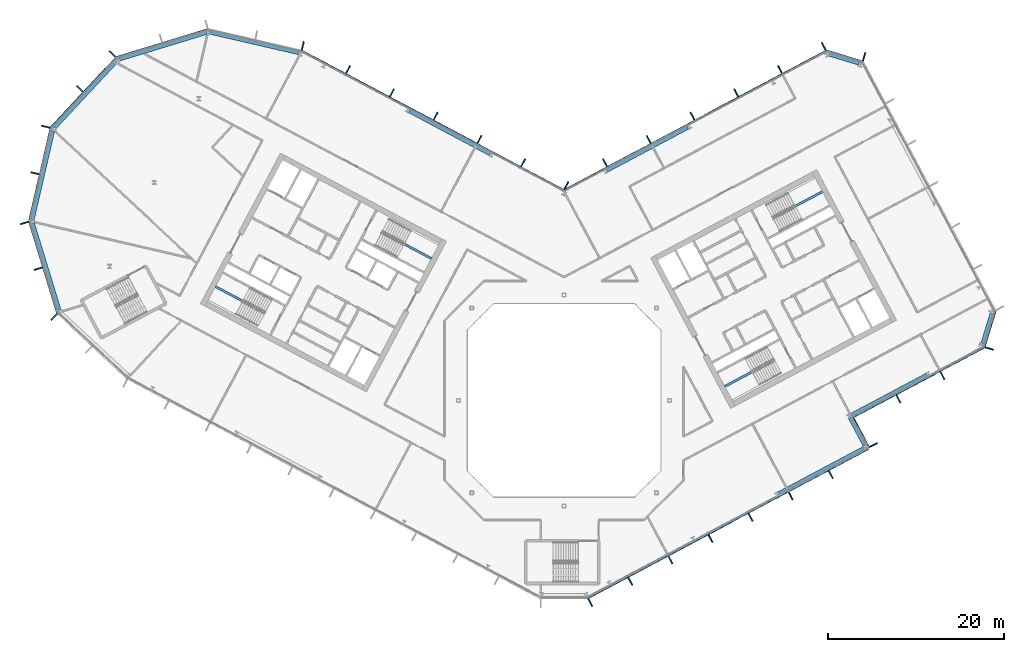
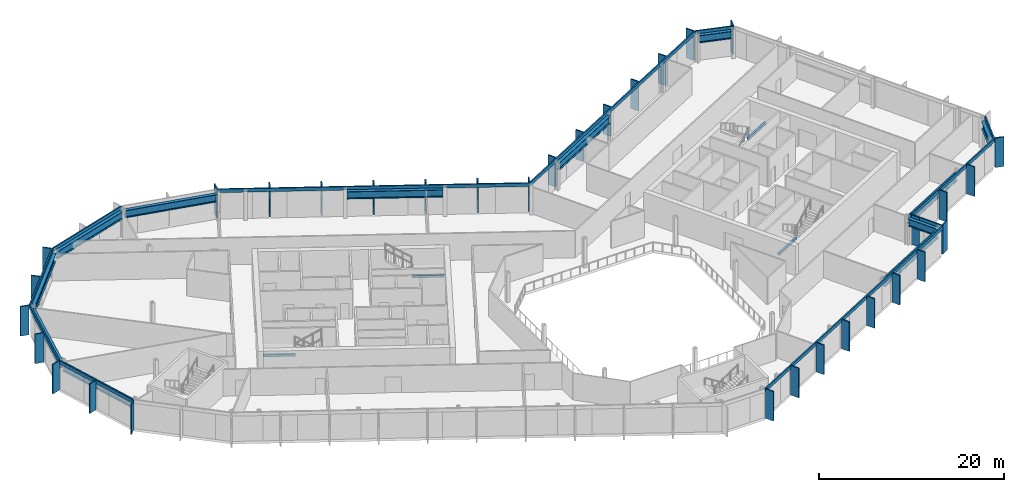
# One storey, part 9 of 27: 44 members, 16 beams, 13 elements without a shape of their own.
"""IFC4 building model written with IfcOpenShell, lengths in metres."""

from ifc_helpers import new_model, si_unit, direction, frame, origin, origin_2d, place, context, subcontext, project, spatial, rectangle, i_section, extrude, material, layer, layer_set, material_profile, profile_set, type_object, element, aggregate, save


model = new_model("IFC4")

# Units and contexts
model_context = context("Model", 3, precision=1e-05, world=origin(), true_north=direction((0.0, 1.0)))
body_context = subcontext(model_context, "Body", "Model", "MODEL_VIEW")
ifc_project = project(units=[si_unit("LENGTHUNIT", "METRE"), si_unit("AREAUNIT", "SQUARE_METRE"), si_unit("VOLUMEUNIT", "CUBIC_METRE"), si_unit("PLANEANGLEUNIT", "RADIAN"), si_unit("MASSUNIT", "GRAM", prefix="KILO")], contexts=[model_context])

# Site, building, storey
site_placement = place(None, origin())
site = spatial("IfcSite", under=ifc_project, at=site_placement, CompositionType="ELEMENT")
building_placement = place(site_placement, origin())
building = spatial("IfcBuilding", under=site, at=building_placement, Name="Cormorant Relay Tower", CompositionType="ELEMENT")
storey_placement = place(building_placement, frame((0.0, 0.0, 240.300048828125)))
storey = spatial("IfcBuildingStorey", under=building, at=storey_placement, Name="L53", CompositionType="ELEMENT", Elevation=240.300048828125)

# Curtain wall, members
ifc_material_1 = material(Name="Aluminium 6063-T6 anodised bronze", Category="aluminium")
ifc_layer = layer(ifc_material_1, 0.199951171875)
ifc_layer_set = layer_set([ifc_layer], Name="CW1 unitised bronze curtain wall with vertical fins")
curtain_wall_type = type_object("IfcCurtainWallType", Name="CW1 unitised bronze curtain wall with vertical fins", PredefinedType="NOTDEFINED", material=ifc_layer_set)
curtain_wall_1_placement = place(storey_placement, origin())
curtain_wall_1 = element("IfcCurtainWall", 1, at=curtain_wall_1_placement, inside=storey, type_object=curtain_wall_type, Name="CW1 curtain wall 2", PredefinedType="NOTDEFINED")
ifc_material_2 = material(Name="Aluminium 6063-T6 anodised bronze", Category="aluminium")
ifc_material_profile_1 = material_profile(ifc_material_2, rectangle(XDim=0.14990234375, YDim=1.0, at=origin_2d()), Name="AL 150x1000")
ifc_profile_set_1 = profile_set([ifc_material_profile_1], Name="Aluminium 6063-T6 anodised bronze")
member_type_1 = type_object("IfcMemberType", Name="CW1 bronze fin mullion 150 x 1000", PredefinedType="MULLION", material=ifc_profile_set_1)
member_1_placement = place(storey_placement, frame((2.9775390625, -22.99365234375, 0.0), z_axis=(0.0, 0.0, 1.0), x_axis=(0.882947592859, 0.469471562786, 0.0)))
member_1 = element("IfcMember", 2, at=member_1_placement, type_object=member_type_1, Name="CW1 fin 2.1", PredefinedType="MULLION", context=body_context, shape_type="SweptSolid", body=[
    extrude(rectangle(XDim=0.14990234375, YDim=1.0, at=origin_2d()), origin(), (0.0, 0.0, 1.0), 3.89990234375),
])
member_2_placement = place(storey_placement, frame((7.539306640625, -20.568115234375, 0.0), z_axis=(0.0, 0.0, 1.0), x_axis=(0.882947592859, 0.469471562786, 0.0)))
member_2 = element("IfcMember", 3, at=member_2_placement, type_object=member_type_1, Name="CW1 fin 2.2", PredefinedType="MULLION", context=body_context, shape_type="SweptSolid", body=[
    extrude(rectangle(XDim=0.14990234375, YDim=1.0, at=origin_2d()), origin(), (0.0, 0.0, 1.0), 3.89990234375),
])
member_3_placement = place(storey_placement, frame((12.10107421875, -18.142578125, 0.0), z_axis=(0.0, 0.0, 1.0), x_axis=(0.882947592859, 0.469471562786, 0.0)))
member_3 = element("IfcMember", 4, at=member_3_placement, type_object=member_type_1, Name="CW1 fin 2.3", PredefinedType="MULLION", context=body_context, shape_type="SweptSolid", body=[
    extrude(rectangle(XDim=0.14990234375, YDim=1.0, at=origin_2d()), origin(), (0.0, 0.0, 1.0), 3.89990234375),
])
member_4_placement = place(storey_placement, frame((16.662841796875, -15.717041015625, 0.0), z_axis=(0.0, 0.0, 1.0), x_axis=(0.882947592859, 0.469471562786, 0.0)))
member_4 = element("IfcMember", 5, at=member_4_placement, type_object=member_type_1, Name="CW1 fin 2.4", PredefinedType="MULLION", context=body_context, shape_type="SweptSolid", body=[
    extrude(rectangle(XDim=0.14990234375, YDim=1.0, at=origin_2d()), origin(), (0.0, 0.0, 1.0), 3.89990234375),
])
member_5_placement = place(storey_placement, frame((21.224609375, -13.29150390625, 0.0), z_axis=(0.0, 0.0, 1.0), x_axis=(0.882947592859, 0.469471562786, 0.0)))
member_5 = element("IfcMember", 6, at=member_5_placement, type_object=member_type_1, Name="CW1 fin 2.5", PredefinedType="MULLION", context=body_context, shape_type="SweptSolid", body=[
    extrude(rectangle(XDim=0.14990234375, YDim=1.0, at=origin_2d()), origin(), (0.0, 0.0, 1.0), 3.89990234375),
])
member_6_placement = place(storey_placement, frame((25.78662109375, -10.865966796875, 0.0), z_axis=(0.0, 0.0, 1.0), x_axis=(0.882947592859, 0.469471562786, 0.0)))
member_6 = element("IfcMember", 7, at=member_6_placement, type_object=member_type_1, Name="CW1 fin 2.6", PredefinedType="MULLION", context=body_context, shape_type="SweptSolid", body=[
    extrude(rectangle(XDim=0.14990234375, YDim=1.0, at=origin_2d()), origin(), (0.0, 0.0, 1.0), 3.89990234375),
])
member_7_placement = place(storey_placement, frame((30.348388671875, -8.440185546875, 0.0), z_axis=(0.0, 0.0, 1.0), x_axis=(0.882947592859, 0.469471562786, 0.0)))
member_7 = element("IfcMember", 8, at=member_7_placement, type_object=member_type_1, Name="CW1 fin 2.7", PredefinedType="MULLION", context=body_context, shape_type="SweptSolid", body=[
    extrude(rectangle(XDim=0.14990234375, YDim=1.0, at=origin_2d()), origin(), (0.0, 0.0, 1.0), 3.89990234375),
])

# Curtain wall, member
curtain_wall_2_placement = place(storey_placement, origin())
curtain_wall_2 = element("IfcCurtainWall", 9, at=curtain_wall_2_placement, inside=storey, type_object=curtain_wall_type, Name="CW1 curtain wall 3", PredefinedType="NOTDEFINED")
member_8_placement = place(storey_placement, frame((35.199462890625, -5.068115234375, 0.0), z_axis=(0.0, 0.0, 1.0), x_axis=(-0.469471562786, 0.882947592859, 0.0)))
member_8 = element("IfcMember", 10, at=member_8_placement, type_object=member_type_1, Name="CW1 fin 3.1", PredefinedType="MULLION", context=body_context, shape_type="SweptSolid", body=[
    extrude(rectangle(XDim=0.14990234375, YDim=1.0, at=origin_2d()), origin(), (0.0, 0.0, 1.0), 3.89990234375),
])

# Curtain wall, members
curtain_wall_3_placement = place(storey_placement, origin())
curtain_wall_3 = element("IfcCurtainWall", 11, at=curtain_wall_3_placement, inside=storey, type_object=curtain_wall_type, Name="CW1 curtain wall 4", PredefinedType="NOTDEFINED")
member_9_placement = place(storey_placement, frame((33.098388671875, -2.44775390625, 0.0), z_axis=(0.0, 0.0, 1.0), x_axis=(0.882947592859, 0.469471562786, 0.0)))
member_9 = element("IfcMember", 12, at=member_9_placement, type_object=member_type_1, Name="CW1 fin 4.1", PredefinedType="MULLION", context=body_context, shape_type="SweptSolid", body=[
    extrude(rectangle(XDim=0.14990234375, YDim=1.0, at=origin_2d()), origin(), (0.0, 0.0, 1.0), 3.89990234375),
])
member_10_placement = place(storey_placement, frame((38.035400390625, 0.177490234375, 0.0), z_axis=(0.0, 0.0, 1.0), x_axis=(0.882947592859, 0.469471562786, 0.0)))
member_10 = element("IfcMember", 13, at=member_10_placement, type_object=member_type_1, Name="CW1 fin 4.2", PredefinedType="MULLION", context=body_context, shape_type="SweptSolid", body=[
    extrude(rectangle(XDim=0.14990234375, YDim=1.0, at=origin_2d()), origin(), (0.0, 0.0, 1.0), 3.89990234375),
])
member_11_placement = place(storey_placement, frame((43.038818359375, 2.837646484375, 0.0), z_axis=(0.0, 0.0, 1.0), x_axis=(0.882947592859, 0.469471562786, 0.0)))
member_11 = element("IfcMember", 14, at=member_11_placement, type_object=member_type_1, Name="CW1 fin 4.3", PredefinedType="MULLION", context=body_context, shape_type="SweptSolid", body=[
    extrude(rectangle(XDim=0.14990234375, YDim=1.0, at=origin_2d()), origin(), (0.0, 0.0, 1.0), 3.89990234375),
])

# Curtain wall, member
curtain_wall_4_placement = place(storey_placement, origin())
curtain_wall_4 = element("IfcCurtainWall", 15, at=curtain_wall_4_placement, inside=storey, type_object=curtain_wall_type, Name="CW1 curtain wall 5", PredefinedType="NOTDEFINED")
member_12_placement = place(storey_placement, frame((48.383056640625, 5.91162109375, 0.0), z_axis=(0.0, 0.0, 1.0), x_axis=(0.292371704723, 0.956304755963, 0.0)))
member_12 = element("IfcMember", 16, at=member_12_placement, type_object=member_type_1, Name="CW1 fin 5.1", PredefinedType="MULLION", context=body_context, shape_type="SweptSolid", body=[
    extrude(rectangle(XDim=0.14990234375, YDim=1.0, at=origin_2d()), origin(), (0.0, 0.0, 1.0), 3.89990234375),
])

curtain_wall_5_placement = place(storey_placement, origin())
curtain_wall_5 = element("IfcCurtainWall", 17, at=curtain_wall_5_placement, inside=storey, type_object=curtain_wall_type, Name="CW1 curtain wall 7", PredefinedType="NOTDEFINED")
member_13_placement = place(storey_placement, frame((34.1357421875, 39.09716796875, 0.0), z_axis=(0.0, 0.0, 1.0), x_axis=(-0.956304755963, 0.292371704723, 0.0)))
member_13 = element("IfcMember", 18, at=member_13_placement, type_object=member_type_1, Name="CW1 fin 7.1", PredefinedType="MULLION", context=body_context, shape_type="SweptSolid", body=[
    extrude(rectangle(XDim=0.14990234375, YDim=1.0, at=origin_2d()), origin(), (0.0, 0.0, 1.0), 3.89990234375),
])

# Curtain wall, members
curtain_wall_6_placement = place(storey_placement, origin())
curtain_wall_6 = element("IfcCurtainWall", 19, at=curtain_wall_6_placement, inside=storey, type_object=curtain_wall_type, Name="CW1 curtain wall 8", PredefinedType="NOTDEFINED")
member_14_placement = place(storey_placement, frame((29.545166015625, 40.2861328125, 0.0), z_axis=(0.0, 0.0, 1.0), x_axis=(-0.882947592859, -0.469471562786, 0.0)))
member_14 = element("IfcMember", 20, at=member_14_placement, type_object=member_type_1, Name="CW1 fin 8.1", PredefinedType="MULLION", context=body_context, shape_type="SweptSolid", body=[
    extrude(rectangle(XDim=0.14990234375, YDim=1.0, at=origin_2d()), origin(), (0.0, 0.0, 1.0), 3.89990234375),
])
member_15_placement = place(storey_placement, frame((24.566162109375, 37.638916015625, 0.0), z_axis=(0.0, 0.0, 1.0), x_axis=(-0.882947592859, -0.469471562786, 0.0)))
member_15 = element("IfcMember", 21, at=member_15_placement, type_object=member_type_1, Name="CW1 fin 8.2", PredefinedType="MULLION", context=body_context, shape_type="SweptSolid", body=[
    extrude(rectangle(XDim=0.14990234375, YDim=1.0, at=origin_2d()), origin(), (0.0, 0.0, 1.0), 3.89990234375),
])
member_16_placement = place(storey_placement, frame((19.587158203125, 34.991455078125, 0.0), z_axis=(0.0, 0.0, 1.0), x_axis=(-0.882947592859, -0.469471562786, 0.0)))
member_16 = element("IfcMember", 22, at=member_16_placement, type_object=member_type_1, Name="CW1 fin 8.3", PredefinedType="MULLION", context=body_context, shape_type="SweptSolid", body=[
    extrude(rectangle(XDim=0.14990234375, YDim=1.0, at=origin_2d()), origin(), (0.0, 0.0, 1.0), 3.89990234375),
])
member_17_placement = place(storey_placement, frame((14.608154296875, 32.343994140625, 0.0), z_axis=(0.0, 0.0, 1.0), x_axis=(-0.882947592859, -0.469471562786, 0.0)))
member_17 = element("IfcMember", 23, at=member_17_placement, type_object=member_type_1, Name="CW1 fin 8.4", PredefinedType="MULLION", context=body_context, shape_type="SweptSolid", body=[
    extrude(rectangle(XDim=0.14990234375, YDim=1.0, at=origin_2d()), origin(), (0.0, 0.0, 1.0), 3.89990234375),
])
member_18_placement = place(storey_placement, frame((9.62939453125, 29.69677734375, 0.0), z_axis=(0.0, 0.0, 1.0), x_axis=(-0.882947592859, -0.469471562786, 0.0)))
member_18 = element("IfcMember", 24, at=member_18_placement, type_object=member_type_1, Name="CW1 fin 8.5", PredefinedType="MULLION", context=body_context, shape_type="SweptSolid", body=[
    extrude(rectangle(XDim=0.14990234375, YDim=1.0, at=origin_2d()), origin(), (0.0, 0.0, 1.0), 3.89990234375),
])
member_19_placement = place(storey_placement, frame((4.650390625, 27.04931640625, 0.0), z_axis=(0.0, 0.0, 1.0), x_axis=(-0.882947592859, -0.469471562786, 0.0)))
member_19 = element("IfcMember", 25, at=member_19_placement, type_object=member_type_1, Name="CW1 fin 8.6", PredefinedType="MULLION", context=body_context, shape_type="SweptSolid", body=[
    extrude(rectangle(XDim=0.14990234375, YDim=1.0, at=origin_2d()), origin(), (0.0, 0.0, 1.0), 3.89990234375),
])

curtain_wall_7_placement = place(storey_placement, origin())
curtain_wall_7 = element("IfcCurtainWall", 26, at=curtain_wall_7_placement, inside=storey, type_object=curtain_wall_type, Name="CW1 curtain wall 9", PredefinedType="NOTDEFINED")
member_20_placement = place(storey_placement, frame((0.262451171875, 24.437255859375, 0.0), z_axis=(0.0, 0.0, 1.0), x_axis=(-0.882947592859, 0.469471562786, 0.0)))
member_20 = element("IfcMember", 27, at=member_20_placement, type_object=member_type_1, Name="CW1 fin 9.1", PredefinedType="MULLION", context=body_context, shape_type="SweptSolid", body=[
    extrude(rectangle(XDim=0.14990234375, YDim=1.0, at=origin_2d()), origin(), (0.0, 0.0, 1.0), 3.89990234375),
])
member_21_placement = place(storey_placement, frame((-4.650390625, 27.04931640625, 0.0), z_axis=(0.0, 0.0, 1.0), x_axis=(-0.882947592859, 0.469471562786, 0.0)))
member_21 = element("IfcMember", 28, at=member_21_placement, type_object=member_type_1, Name="CW1 fin 9.2", PredefinedType="MULLION", context=body_context, shape_type="SweptSolid", body=[
    extrude(rectangle(XDim=0.14990234375, YDim=1.0, at=origin_2d()), origin(), (0.0, 0.0, 1.0), 3.89990234375),
])
member_22_placement = place(storey_placement, frame((-9.62939453125, 29.69677734375, 0.0), z_axis=(0.0, 0.0, 1.0), x_axis=(-0.882947592859, 0.469471562786, 0.0)))
member_22 = element("IfcMember", 29, at=member_22_placement, type_object=member_type_1, Name="CW1 fin 9.3", PredefinedType="MULLION", context=body_context, shape_type="SweptSolid", body=[
    extrude(rectangle(XDim=0.14990234375, YDim=1.0, at=origin_2d()), origin(), (0.0, 0.0, 1.0), 3.89990234375),
])
member_23_placement = place(storey_placement, frame((-14.608154296875, 32.343994140625, 0.0), z_axis=(0.0, 0.0, 1.0), x_axis=(-0.882947592859, 0.469471562786, 0.0)))
member_23 = element("IfcMember", 30, at=member_23_placement, type_object=member_type_1, Name="CW1 fin 9.4", PredefinedType="MULLION", context=body_context, shape_type="SweptSolid", body=[
    extrude(rectangle(XDim=0.14990234375, YDim=1.0, at=origin_2d()), origin(), (0.0, 0.0, 1.0), 3.89990234375),
])
member_24_placement = place(storey_placement, frame((-19.587158203125, 34.991455078125, 0.0), z_axis=(0.0, 0.0, 1.0), x_axis=(-0.882947592859, 0.469471562786, 0.0)))
member_24 = element("IfcMember", 31, at=member_24_placement, type_object=member_type_1, Name="CW1 fin 9.5", PredefinedType="MULLION", context=body_context, shape_type="SweptSolid", body=[
    extrude(rectangle(XDim=0.14990234375, YDim=1.0, at=origin_2d()), origin(), (0.0, 0.0, 1.0), 3.89990234375),
])
member_25_placement = place(storey_placement, frame((-24.566162109375, 37.638916015625, 0.0), z_axis=(0.0, 0.0, 1.0), x_axis=(-0.882947592859, 0.469471562786, 0.0)))
member_25 = element("IfcMember", 32, at=member_25_placement, type_object=member_type_1, Name="CW1 fin 9.6", PredefinedType="MULLION", context=body_context, shape_type="SweptSolid", body=[
    extrude(rectangle(XDim=0.14990234375, YDim=1.0, at=origin_2d()), origin(), (0.0, 0.0, 1.0), 3.89990234375),
])

# Curtain wall, member
curtain_wall_8_placement = place(storey_placement, origin())
curtain_wall_8 = element("IfcCurtainWall", 33, at=curtain_wall_8_placement, inside=storey, type_object=curtain_wall_type, Name="CW1 curtain wall 10", PredefinedType="NOTDEFINED")
member_26_placement = place(storey_placement, frame((-29.71630859375, 40.35009765625, 0.0), z_axis=(0.0, 0.0, 1.0), x_axis=(-0.974370064785, 0.224951054344, 0.0)))
member_26 = element("IfcMember", 34, at=member_26_placement, type_object=member_type_1, Name="CW1 fin 10.1", PredefinedType="MULLION", context=body_context, shape_type="SweptSolid", body=[
    extrude(rectangle(XDim=0.14990234375, YDim=1.0, at=origin_2d()), origin(), (0.0, 0.0, 1.0), 3.89990234375),
])
aggregate(curtain_wall_8, [member_26])

# Curtain wall, members
curtain_wall_9_placement = place(storey_placement, origin())
curtain_wall_9 = element("IfcCurtainWall", 35, at=curtain_wall_9_placement, inside=storey, type_object=curtain_wall_type, Name="CW1 curtain wall 12", PredefinedType="NOTDEFINED")
member_27_placement = place(storey_placement, frame((-51.372802734375, 39.41259765625, 0.0), z_axis=(0.0, 0.0, 1.0), x_axis=(-0.681998360062, -0.731353701619, 0.0)))
member_27 = element("IfcMember", 36, at=member_27_placement, type_object=member_type_1, Name="CW1 fin 12.1", PredefinedType="MULLION", context=body_context, shape_type="SweptSolid", body=[
    extrude(rectangle(XDim=0.14990234375, YDim=1.0, at=origin_2d()), origin(), (0.0, 0.0, 1.0), 3.89990234375),
])
member_28_placement = place(storey_placement, frame((-55.07958984375, 35.4375, 0.0), z_axis=(0.0, 0.0, 1.0), x_axis=(-0.681998360062, -0.731353701619, 0.0)))
member_28 = element("IfcMember", 37, at=member_28_placement, type_object=member_type_1, Name="CW1 fin 12.2", PredefinedType="MULLION", context=body_context, shape_type="SweptSolid", body=[
    extrude(rectangle(XDim=0.14990234375, YDim=1.0, at=origin_2d()), origin(), (0.0, 0.0, 1.0), 3.89990234375),
])

curtain_wall_10_placement = place(storey_placement, origin())
curtain_wall_10 = element("IfcCurtainWall", 38, at=curtain_wall_10_placement, inside=storey, type_object=curtain_wall_type, Name="CW1 curtain wall 13", PredefinedType="NOTDEFINED")
member_29_placement = place(storey_placement, frame((-58.95654296875, 31.142578125, 0.0), z_axis=(0.0, 0.0, 1.0), x_axis=(-0.224951054344, -0.974370064785, 0.0)))
member_29 = element("IfcMember", 39, at=member_29_placement, type_object=member_type_1, Name="CW1 fin 13.1", PredefinedType="MULLION", context=body_context, shape_type="SweptSolid", body=[
    extrude(rectangle(XDim=0.14990234375, YDim=1.0, at=origin_2d()), origin(), (0.0, 0.0, 1.0), 3.89990234375),
])
member_30_placement = place(storey_placement, frame((-60.17919921875, 25.8466796875, 0.0), z_axis=(0.0, 0.0, 1.0), x_axis=(-0.224951054344, -0.974370064785, 0.0)))
member_30 = element("IfcMember", 40, at=member_30_placement, type_object=member_type_1, Name="CW1 fin 13.2", PredefinedType="MULLION", context=body_context, shape_type="SweptSolid", body=[
    extrude(rectangle(XDim=0.14990234375, YDim=1.0, at=origin_2d()), origin(), (0.0, 0.0, 1.0), 3.89990234375),
])

curtain_wall_11_placement = place(storey_placement, origin())
curtain_wall_11 = element("IfcCurtainWall", 41, at=curtain_wall_11_placement, inside=storey, type_object=curtain_wall_type, Name="CW1 curtain wall 14", PredefinedType="NOTDEFINED")
member_31_placement = place(storey_placement, frame((-61.389404296875, 20.188720703125, 0.0), z_axis=(0.0, 0.0, 1.0), x_axis=(0.292371704723, -0.956304755963, 0.0)))
member_31 = element("IfcMember", 42, at=member_31_placement, type_object=member_type_1, Name="CW1 fin 14.1", PredefinedType="MULLION", context=body_context, shape_type="SweptSolid", body=[
    extrude(rectangle(XDim=0.14990234375, YDim=1.0, at=origin_2d()), origin(), (0.0, 0.0, 1.0), 3.89990234375),
])
member_32_placement = place(storey_placement, frame((-59.80029296875, 14.990966796875, 0.0), z_axis=(0.0, 0.0, 1.0), x_axis=(0.292371704723, -0.956304755963, 0.0)))
member_32 = element("IfcMember", 43, at=member_32_placement, type_object=member_type_1, Name="CW1 fin 14.2", PredefinedType="MULLION", context=body_context, shape_type="SweptSolid", body=[
    extrude(rectangle(XDim=0.14990234375, YDim=1.0, at=origin_2d()), origin(), (0.0, 0.0, 1.0), 3.89990234375),
])

# Curtain wall, member
curtain_wall_12_placement = place(storey_placement, origin())
curtain_wall_12 = element("IfcCurtainWall", 44, at=curtain_wall_12_placement, inside=storey, type_object=curtain_wall_type, Name="CW1 curtain wall 15", PredefinedType="NOTDEFINED")
member_33_placement = place(storey_placement, frame((-58.01904296875, 9.486083984375, 0.0), z_axis=(0.0, 0.0, 1.0), x_axis=(0.731353701619, -0.681998360062, 0.0)))
member_33 = element("IfcMember", 45, at=member_33_placement, type_object=member_type_1, Name="CW1 fin 15.1", PredefinedType="MULLION", context=body_context, shape_type="SweptSolid", body=[
    extrude(rectangle(XDim=0.14990234375, YDim=1.0, at=origin_2d()), origin(), (0.0, 0.0, 1.0), 3.89990234375),
])
aggregate(curtain_wall_12, [member_33])

# Member
ifc_material_3 = material(Name="Aluminium 6063-T6 anodised bronze", Category="aluminium")
ifc_material_profile_2 = material_profile(ifc_material_3, rectangle(XDim=0.159912109375, YDim=0.449951171875, at=origin_2d()), Name="AL 160x450")
ifc_profile_set_2 = profile_set([ifc_material_profile_2], Name="Aluminium 6063-T6 anodised bronze")
member_type_2 = type_object("IfcMemberType", Name="CW1 bronze transom 160 x 450", PredefinedType="USERDEFINED", material=ifc_profile_set_2)
member_34_placement = place(storey_placement, frame((2.705078125, -22.4814453125, 3.675048828125), z_axis=(0.882948899141, 0.469469106018, 0.0), x_axis=(-0.469469106018, 0.882948899141, 0.0)))
member_34 = element("IfcMember", 46, at=member_34_placement, type_object=member_type_2, Name="CW1 transom 2", ObjectType="TRANSOM", PredefinedType="USERDEFINED", context=body_context, shape_type="SweptSolid", body=[
    extrude(rectangle(XDim=0.159912109375, YDim=0.449951171875, at=origin_2d()), origin(), (0.0, 0.0, 1.0), 36.165771484375),
])

aggregate(curtain_wall_1, [member_1, member_2, member_3, member_4, member_5, member_6, member_7, member_34])

member_35_placement = place(storey_placement, frame((34.6875, -5.34033203125, 3.675048828125), z_axis=(-0.469485426614, 0.882940221191, 0.0), x_axis=(-0.882940221191, -0.469485426614, 0.0)))
member_35 = element("IfcMember", 47, at=member_35_placement, type_object=member_type_2, Name="CW1 transom 3", ObjectType="TRANSOM", PredefinedType="USERDEFINED", context=body_context, shape_type="SweptSolid", body=[
    extrude(rectangle(XDim=0.159912109375, YDim=0.449951171875, at=origin_2d()), origin(), (0.0, 0.0, 1.0), 4.0),
])

aggregate(curtain_wall_2, [member_8, member_35])

member_36_placement = place(storey_placement, frame((32.760009765625, -1.970947265625, 3.675048828125), z_axis=(0.882941803911, 0.469482450052, 0.0), x_axis=(-0.469482450052, 0.882941803911, 0.0)))
member_36 = element("IfcMember", 48, at=member_36_placement, type_object=member_type_2, Name="CW1 transom 4", ObjectType="TRANSOM", PredefinedType="USERDEFINED", context=body_context, shape_type="SweptSolid", body=[
    extrude(rectangle(XDim=0.159912109375, YDim=0.449951171875, at=origin_2d()), origin(), (0.0, 0.0, 1.0), 17.0),
])

aggregate(curtain_wall_3, [member_9, member_10, member_11, member_36])

member_37_placement = place(storey_placement, frame((47.828369140625, 6.0810546875, 3.675048828125), z_axis=(0.292391046905, 0.95629884225, 0.0), x_axis=(-0.95629884225, 0.292391046905, 0.0)))
member_37 = element("IfcMember", 49, at=member_37_placement, type_object=member_type_2, Name="CW1 transom 5", ObjectType="TRANSOM", PredefinedType="USERDEFINED", context=body_context, shape_type="SweptSolid", body=[
    extrude(rectangle(XDim=0.159912109375, YDim=0.449951171875, at=origin_2d()), origin(), (0.0, 0.0, 1.0), 4.242431640625),
])

aggregate(curtain_wall_4, [member_12, member_37])

member_38_placement = place(storey_placement, frame((33.966064453125, 38.54248046875, 3.675048828125), z_axis=(-0.956303761594, 0.292374957137, 0.0), x_axis=(-0.292374957137, -0.956303761594, 0.0)))
member_38 = element("IfcMember", 50, at=member_38_placement, type_object=member_type_2, Name="CW1 transom 7", ObjectType="TRANSOM", PredefinedType="USERDEFINED", context=body_context, shape_type="SweptSolid", body=[
    extrude(rectangle(XDim=0.159912109375, YDim=0.449951171875, at=origin_2d()), origin(), (0.0, 0.0, 1.0), 4.24267578125),
])

aggregate(curtain_wall_5, [member_13, member_38])

member_39_placement = place(storey_placement, frame((29.8173828125, 39.774169921875, 3.675048828125), z_axis=(-0.882946280328, -0.46947403129, 0.0), x_axis=(0.46947403129, -0.882946280328, 0.0)))
member_39 = element("IfcMember", 51, at=member_39_placement, type_object=member_type_2, Name="CW1 transom 8", ObjectType="TRANSOM", PredefinedType="USERDEFINED", context=body_context, shape_type="SweptSolid", body=[
    extrude(rectangle(XDim=0.159912109375, YDim=0.449951171875, at=origin_2d()), origin(), (0.0, 0.0, 1.0), 33.834228515625),
])

aggregate(curtain_wall_6, [member_14, member_15, member_16, member_17, member_18, member_19, member_39])

member_40_placement = place(storey_placement, frame((0.056396484375, 23.889892578125, 3.675048828125), z_axis=(-0.882946280328, 0.46947403129, 0.0), x_axis=(-0.46947403129, -0.882946280328, 0.0)))
member_40 = element("IfcMember", 52, at=member_40_placement, type_object=member_type_2, Name="CW1 transom 9", ObjectType="TRANSOM", PredefinedType="USERDEFINED", context=body_context, shape_type="SweptSolid", body=[
    extrude(rectangle(XDim=0.159912109375, YDim=0.449951171875, at=origin_2d()), origin(), (0.0, 0.0, 1.0), 33.834228515625),
])

aggregate(curtain_wall_7, [member_20, member_21, member_22, member_23, member_24, member_25, member_40])

# Curtain wall, member
curtain_wall_13_placement = place(storey_placement, origin())
curtain_wall_13 = element("IfcCurtainWall", 53, at=curtain_wall_13_placement, inside=storey, type_object=curtain_wall_type, Name="CW1 curtain wall 11", PredefinedType="NOTDEFINED")
member_41_placement = place(storey_placement, frame((-40.50048828125, 42.228271484375, 3.675048828125), z_axis=(-0.956304833932, -0.292371449698, 0.0), x_axis=(0.292371449698, -0.956304833932, 0.0)))
member_41 = element("IfcMember", 54, at=member_41_placement, type_object=member_type_2, Name="CW1 transom 11", ObjectType="TRANSOM", PredefinedType="USERDEFINED", context=body_context, shape_type="SweptSolid", body=[
    extrude(rectangle(XDim=0.159912109375, YDim=0.449951171875, at=origin_2d()), origin(), (0.0, 0.0, 1.0), 10.87060546875),
])
aggregate(curtain_wall_13, [member_41])

# Member
member_42_placement = place(storey_placement, frame((-50.94873046875, 39.01708984375, 3.675048828125), z_axis=(-0.681993299437, -0.731358420696, 0.0), x_axis=(0.731358420696, -0.681993299437, 0.0)))
member_42 = element("IfcMember", 55, at=member_42_placement, type_object=member_type_2, Name="CW1 transom 12", ObjectType="TRANSOM", PredefinedType="USERDEFINED", context=body_context, shape_type="SweptSolid", body=[
    extrude(rectangle(XDim=0.159912109375, YDim=0.449951171875, at=origin_2d()), origin(), (0.0, 0.0, 1.0), 10.870361328125),
])

aggregate(curtain_wall_9, [member_27, member_28, member_42])

member_43_placement = place(storey_placement, frame((-58.3916015625, 31.01220703125, 3.675048828125), z_axis=(-0.22495136131, -0.974369993916, 0.0), x_axis=(0.974369993916, -0.22495136131, 0.0)))
member_43 = element("IfcMember", 56, at=member_43_placement, type_object=member_type_2, Name="CW1 transom 13", ObjectType="TRANSOM", PredefinedType="USERDEFINED", context=body_context, shape_type="SweptSolid", body=[
    extrude(rectangle(XDim=0.159912109375, YDim=0.449951171875, at=origin_2d()), origin(), (0.0, 0.0, 1.0), 10.870361328125),
])

aggregate(curtain_wall_10, [member_29, member_30, member_43])

member_44_placement = place(storey_placement, frame((-60.834716796875, 20.358154296875, 3.675048828125), z_axis=(0.292377729282, -0.95630291405, 0.0), x_axis=(0.95630291405, 0.292377729282, 0.0)))
member_44 = element("IfcMember", 57, at=member_44_placement, type_object=member_type_2, Name="CW1 transom 14", ObjectType="TRANSOM", PredefinedType="USERDEFINED", context=body_context, shape_type="SweptSolid", body=[
    extrude(rectangle(XDim=0.159912109375, YDim=0.449951171875, at=origin_2d()), origin(), (0.0, 0.0, 1.0), 10.870361328125),
])

aggregate(curtain_wall_11, [member_31, member_32, member_44])

# Beams
ifc_material_4 = material(Name="Steel ASTM A992 (Fy 345 MPa)", Category="steel")
ifc_material_profile_3 = material_profile(ifc_material_4, i_section(OverallWidth=0.4013671875, OverallDepth=0.990478515625, WebThickness=0.0166015625, FlangeThickness=0.031005859375, FilletRadius=0.030029296875, at=origin_2d()), Name="W1000x320")
ifc_profile_set_3 = profile_set([ifc_material_profile_3], Name="Steel ASTM A992 (Fy 345 MPa)")
beam_type_1 = type_object("IfcBeamType", Name="Spandrel W1000x320", PredefinedType="SPANDREL", material=ifc_profile_set_3)
beam_1_placement = place(storey_placement, frame((24.423583984375, -10.5703125, 3.044677734375), z_axis=(0.882952735253, 0.469461891221, 0.0), x_axis=(-0.469461891221, 0.882952735253, 0.0)))
element("IfcBeam", 58, at=beam_1_placement, inside=storey, type_object=beam_type_1, Name="Spandrel beam L53-002", PredefinedType="SPANDREL", context=body_context, shape_type="SweptSolid", body=[
    extrude(i_section(OverallWidth=0.4013671875, OverallDepth=0.990478515625, WebThickness=0.0166015625, FlangeThickness=0.031005859375, FilletRadius=0.030029296875, at=origin_2d()), origin(), (0.0, 0.0, 1.0), 10.96142578125),
])
beam_2_placement = place(storey_placement, frame((34.20458984375, -5.115478515625, 3.044677734375), z_axis=(-0.469423552529, 0.882973118691, 0.0), x_axis=(-0.882973118691, -0.469423552529, 0.0)))
element("IfcBeam", 59, at=beam_2_placement, inside=storey, type_object=beam_type_1, Name="Spandrel beam L53-003", PredefinedType="SPANDREL", context=body_context, shape_type="SweptSolid", body=[
    extrude(i_section(OverallWidth=0.4013671875, OverallDepth=0.990478515625, WebThickness=0.0166015625, FlangeThickness=0.031005859375, FilletRadius=0.030029296875, at=origin_2d()), origin(), (0.0, 0.0, 1.0), 3.56982421875),
])
beam_3_placement = place(storey_placement, frame((32.609375, -1.687744140625, 3.044677734375), z_axis=(0.882948215634, 0.469470391515, 0.0), x_axis=(-0.469470391515, 0.882948215634, 0.0)))
element("IfcBeam", 60, at=beam_3_placement, inside=storey, type_object=beam_type_1, Name="Spandrel beam L53-004", PredefinedType="SPANDREL", context=body_context, shape_type="SweptSolid", body=[
    extrude(i_section(OverallWidth=0.4013671875, OverallDepth=0.990478515625, WebThickness=0.0166015625, FlangeThickness=0.031005859375, FilletRadius=0.030029296875, at=origin_2d()), origin(), (0.0, 0.0, 1.0), 9.79736328125),
])
for number, where, z_axis, x_axis, name in (
    (61, (47.618896484375, 6.4921875, 3.044677734375), (0.292349563537, 0.956311524923, 0.0), (-0.956311524923, 0.292349563537, 0.0), "Spandrel beam L53-005"),
    (62, (33.5546875, 38.3330078125, 3.044677734375), (-0.956311524923, 0.292349563537, 0.0), (-0.292349563537, -0.956311524923, 0.0), "Spandrel beam L53-007"),
):
    element("IfcBeam", number, at=place(storey_placement, frame(where, z_axis=z_axis, x_axis=x_axis)), inside=storey, type_object=beam_type_1, Name=name, PredefinedType="SPANDREL", context=body_context, shape_type="SweptSolid", body=[
        extrude(i_section(OverallWidth=0.4013671875, OverallDepth=0.990478515625, WebThickness=0.0166015625, FlangeThickness=0.031005859375, FilletRadius=0.030029296875, at=origin_2d()), origin(), (0.0, 0.0, 1.0), 3.59765625),
    ])
for number, where, z_axis, x_axis, name in (
    (63, (14.0732421875, 31.03955078125, 3.044677734375), (-0.882949648898, -0.469467695918, 0.0), (0.469467695918, -0.882949648898, 0.0), "Spandrel beam L53-008"),
    (64, (-8.426025390625, 28.036865234375, 3.044677734375), (-0.882949648898, 0.469467695918, 0.0), (-0.469467695918, -0.882949648898, 0.0), "Spandrel beam L53-009"),
):
    element("IfcBeam", number, at=place(storey_placement, frame(where, z_axis=z_axis, x_axis=x_axis)), inside=storey, type_object=beam_type_1, Name=name, PredefinedType="SPANDREL", context=body_context, shape_type="SweptSolid", body=[
        extrude(i_section(OverallWidth=0.4013671875, OverallDepth=0.990478515625, WebThickness=0.0166015625, FlangeThickness=0.031005859375, FilletRadius=0.030029296875, at=origin_2d()), origin(), (0.0, 0.0, 1.0), 10.39599609375),
    ])
beam_4_placement = place(storey_placement, frame((-30.1533203125, 39.526611328125, 3.044677734375), z_axis=(-0.97436619016, 0.22496783653, 0.0), x_axis=(-0.22496783653, -0.97436619016, 0.0)))
element("IfcBeam", 65, at=beam_4_placement, inside=storey, type_object=beam_type_1, Name="Spandrel beam L53-010", PredefinedType="SPANDREL", context=body_context, shape_type="SweptSolid", body=[
    extrude(i_section(OverallWidth=0.4013671875, OverallDepth=0.990478515625, WebThickness=0.0166015625, FlangeThickness=0.031005859375, FilletRadius=0.030029296875, at=origin_2d()), origin(), (0.0, 0.0, 1.0), 10.369384765625),
])
beam_5_placement = place(storey_placement, frame((-40.680419921875, 41.837890625, 3.044677734375), z_axis=(-0.956303094801, -0.292377138084, 0.0), x_axis=(0.292377138084, -0.956303094801, 0.0)))
element("IfcBeam", 66, at=beam_5_placement, inside=storey, type_object=beam_type_1, Name="Spandrel beam L53-011", PredefinedType="SPANDREL", context=body_context, shape_type="SweptSolid", body=[
    extrude(i_section(OverallWidth=0.4013671875, OverallDepth=0.990478515625, WebThickness=0.0166015625, FlangeThickness=0.031005859375, FilletRadius=0.030029296875, at=origin_2d()), origin(), (0.0, 0.0, 1.0), 10.32421875),
])
beam_6_placement = place(storey_placement, frame((-50.90966796875, 38.5888671875, 3.044677734375), z_axis=(-0.681996285296, -0.731355636365, 0.0), x_axis=(0.731355636365, -0.681996285296, 0.0)))
element("IfcBeam", 67, at=beam_6_placement, inside=storey, type_object=beam_type_1, Name="Spandrel beam L53-012", PredefinedType="SPANDREL", context=body_context, shape_type="SweptSolid", body=[
    extrude(i_section(OverallWidth=0.4013671875, OverallDepth=0.990478515625, WebThickness=0.0166015625, FlangeThickness=0.031005859375, FilletRadius=0.030029296875, at=origin_2d()), origin(), (0.0, 0.0, 1.0), 10.32275390625),
])
beam_7_placement = place(storey_placement, frame((-58.143310546875, 30.66162109375, 3.044677734375), z_axis=(-0.224957947919, -0.974368473252, 0.0), x_axis=(0.974368473252, -0.224957947919, 0.0)))
element("IfcBeam", 68, at=beam_7_placement, inside=storey, type_object=beam_type_1, Name="Spandrel beam L53-013", PredefinedType="SPANDREL", context=body_context, shape_type="SweptSolid", body=[
    extrude(i_section(OverallWidth=0.4013671875, OverallDepth=0.990478515625, WebThickness=0.0166015625, FlangeThickness=0.031005859375, FilletRadius=0.030029296875, at=origin_2d()), origin(), (0.0, 0.0, 1.0), 10.32421875),
])
beam_8_placement = place(storey_placement, frame((-60.4443359375, 20.178466796875, 3.044677734375), z_axis=(0.29236873538, -0.956305663777, 0.0), x_axis=(0.956305663777, 0.29236873538, 0.0)))
element("IfcBeam", 69, at=beam_8_placement, inside=storey, type_object=beam_type_1, Name="Spandrel beam L53-014", PredefinedType="SPANDREL", context=body_context, shape_type="SweptSolid", body=[
    extrude(i_section(OverallWidth=0.4013671875, OverallDepth=0.990478515625, WebThickness=0.0166015625, FlangeThickness=0.031005859375, FilletRadius=0.030029296875, at=origin_2d()), origin(), (0.0, 0.0, 1.0), 10.32373046875),
])
ifc_material_5 = material(Name="Concrete 50 MPa", Category="concrete")
ifc_material_profile_4 = material_profile(ifc_material_5, rectangle(XDim=0.25, YDim=0.300048828125, at=origin_2d()), Name="RC 250x300")
ifc_profile_set_4 = profile_set([ifc_material_profile_4], Name="Concrete 50 MPa")
beam_type_2 = type_object("IfcBeamType", Name="Stair landing ledge beam 250x300", PredefinedType="BEAM", material=ifc_profile_set_4)
beam_9_placement = place(storey_placement, frame((-18.219482421875, 17.813720703125, 1.599853515625), z_axis=(0.882950035608, -0.469466968614, 0.0), x_axis=(0.469466968614, 0.882950035608, 0.0)))
element("IfcBeam", 70, at=beam_9_placement, inside=storey, type_object=beam_type_2, Name="A1 landing ledge beam", PredefinedType="BEAM", context=body_context, shape_type="SweptSolid", body=[
    extrude(rectangle(XDim=0.25, YDim=0.300048828125, at=origin_2d()), origin(), (0.0, 0.0, 1.0), 3.5498046875),
])
for number, where, z_axis, x_axis, name in (
    (71, (-36.523193359375, 11.29345703125, 1.599853515625), (-0.88293668587, 0.469492075273, 0.0), (-0.469492075273, -0.88293668587, 0.0), "A2 landing ledge beam"),
    (72, (21.4248046875, 3.265380859375, 1.599853515625), (-0.88296519247, -0.469438461235, 0.0), (0.469438461235, -0.88296519247, 0.0), "B1 landing ledge beam"),
    (73, (26.25439453125, 22.0859375, 1.599853515625), (0.88296519247, 0.469438461235, 0.0), (-0.469438461235, 0.88296519247, 0.0), "B2 landing ledge beam"),
):
    element("IfcBeam", number, at=place(storey_placement, frame(where, z_axis=z_axis, x_axis=x_axis)), inside=storey, type_object=beam_type_2, Name=name, PredefinedType="BEAM", context=body_context, shape_type="SweptSolid", body=[
        extrude(rectangle(XDim=0.25, YDim=0.300048828125, at=origin_2d()), origin(), (0.0, 0.0, 1.0), 3.550048828125),
    ])

save(model, "model.ifc")
